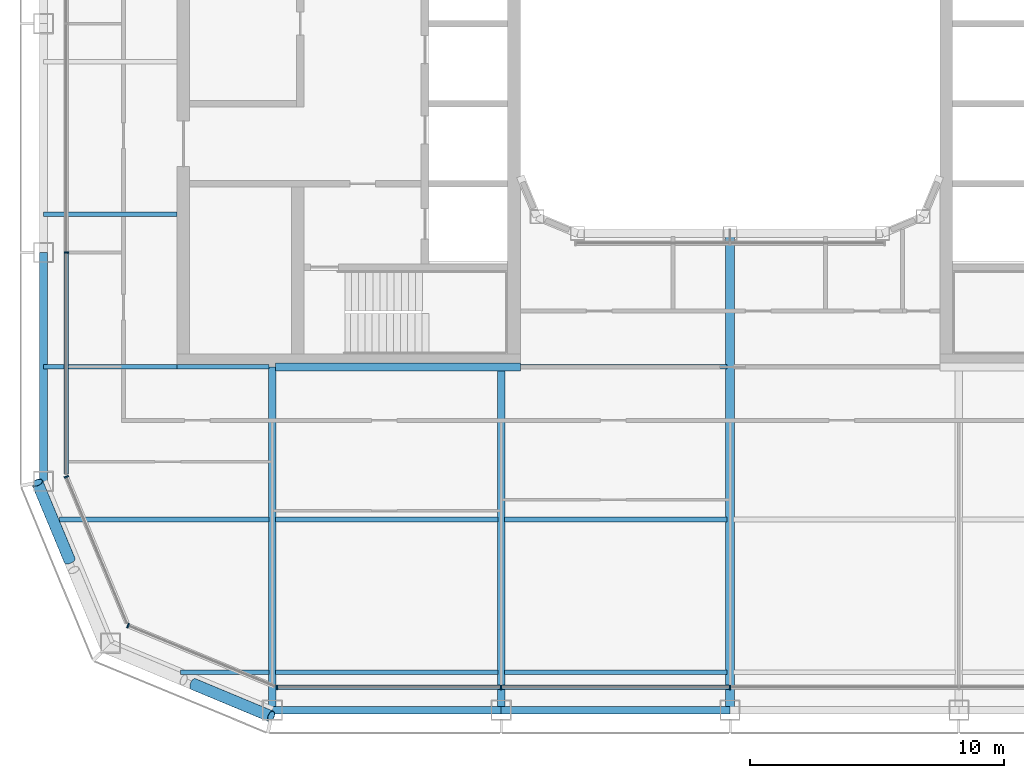
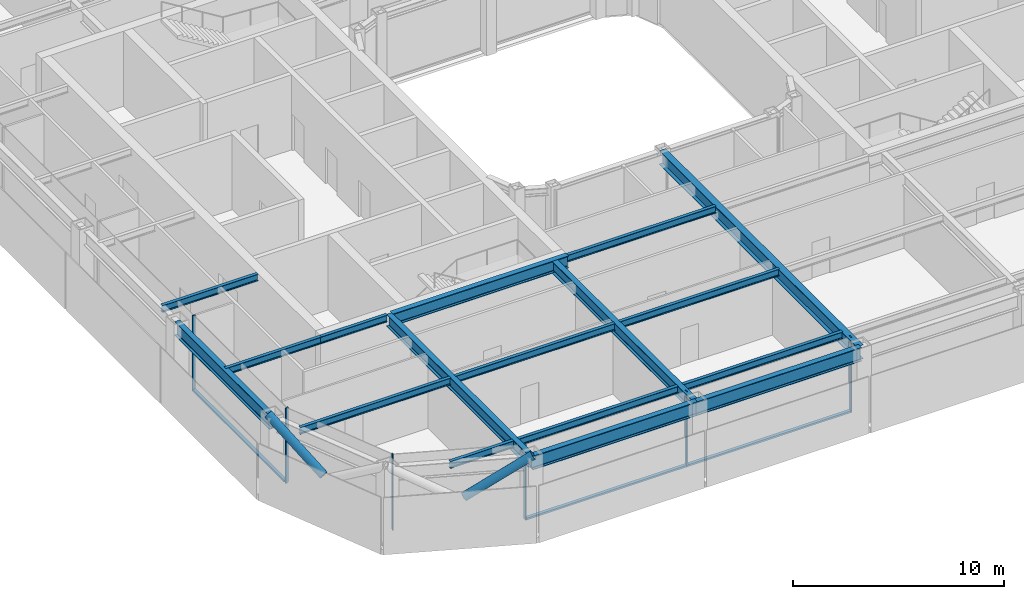
# One storey, part 2 of 23: 17 beams, 11 members, 4 elements without a shape of their own.
"""IFC4 building model written with IfcOpenShell, lengths in metres."""

from ifc_helpers import new_model, si_unit, direction, frame, origin, origin_2d, place, context, subcontext, project, spatial, rectangle, hollow_circle, i_section, extrude, material, layer, layer_set, material_profile, profile_set, type_object, element, aggregate, save


model = new_model("IFC4")

# Units and contexts
model_context = context("Model", 3, precision=1e-05, world=origin(), true_north=direction((0.0, 1.0)))
body_context = subcontext(model_context, "Body", "Model", "MODEL_VIEW")
ifc_project = project(units=[si_unit("LENGTHUNIT", "METRE"), si_unit("AREAUNIT", "SQUARE_METRE"), si_unit("VOLUMEUNIT", "CUBIC_METRE"), si_unit("PLANEANGLEUNIT", "RADIAN"), si_unit("MASSUNIT", "GRAM", prefix="KILO")], contexts=[model_context])

# Site, building, storey
site_placement = place(None, origin())
site = spatial("IfcSite", under=ifc_project, at=site_placement, CompositionType="ELEMENT")
building_placement = place(site_placement, origin())
building = spatial("IfcBuilding", under=site, at=building_placement, Name="Siwar Civic Tower", CompositionType="ELEMENT")
storey_placement = place(building_placement, frame((0.0, 0.0, 242.199951171875)))
storey = spatial("IfcBuildingStorey", under=building, at=storey_placement, Name="L52", CompositionType="ELEMENT", Elevation=242.199951171875)

# Curtain wall, members
ifc_material_1 = material(Name="Aluminium and glass", Category="aluminium")
ifc_layer_1 = layer(ifc_material_1, 0.179931640625)
ifc_layer_set_1 = layer_set([ifc_layer_1], Name="Aluminium and glass")
curtain_wall_type_1 = type_object("IfcCurtainWallType", Name="ENV-CW-C", PredefinedType="NOTDEFINED", material=ifc_layer_set_1)
curtain_wall_1_placement = place(storey_placement, origin())
curtain_wall_1 = element("IfcCurtainWall", 1, at=curtain_wall_1_placement, inside=storey, type_object=curtain_wall_type_1, Name="Curtain wall C S", PredefinedType="NOTDEFINED")
ifc_material_2 = material(Name="Aluminium 6063-T6", Category="aluminium")
ifc_material_profile_1 = material_profile(ifc_material_2, rectangle(XDim=0.179931640625, YDim=0.06005859375, at=origin_2d()), Name="AL 180x60")
ifc_profile_set_1 = profile_set([ifc_material_profile_1], Name="Aluminium 6063-T6")
member_type_1 = type_object("IfcMemberType", Name="ENV-MULLION-C", PredefinedType="MULLION", material=ifc_profile_set_1)
member_1_placement = place(storey_placement, frame((-17.821044921875, -26.10009765625, 0.0), z_axis=(0.0, 0.0, 1.0), x_axis=(0.0, 1.0, 0.0)))
member_1 = element("IfcMember", 2, at=member_1_placement, type_object=member_type_1, Name="Mullion C S 1", PredefinedType="MULLION", context=body_context, shape_type="SweptSolid", body=[
    extrude(rectangle(XDim=0.179931640625, YDim=0.06005859375, at=origin_2d()), origin(), (0.0, 0.0, 1.0), 4.35009765625),
])
member_2_placement = place(storey_placement, frame((-9.0, -26.10009765625, 0.0), z_axis=(0.0, 0.0, 1.0), x_axis=(0.0, 1.0, 0.0)))
member_2 = element("IfcMember", 3, at=member_2_placement, type_object=member_type_1, Name="Mullion C S 2", PredefinedType="MULLION", context=body_context, shape_type="SweptSolid", body=[
    extrude(rectangle(XDim=0.179931640625, YDim=0.06005859375, at=origin_2d()), origin(), (0.0, 0.0, 1.0), 4.35009765625),
])
member_3_placement = place(storey_placement, frame((0.0, -26.10009765625, 0.0), z_axis=(0.0, 0.0, 1.0), x_axis=(0.0, 1.0, 0.0)))
member_3 = element("IfcMember", 4, at=member_3_placement, type_object=member_type_1, Name="Mullion C S 3", PredefinedType="MULLION", context=body_context, shape_type="SweptSolid", body=[
    extrude(rectangle(XDim=0.179931640625, YDim=0.06005859375, at=origin_2d()), origin(), (0.0, 0.0, 1.0), 4.35009765625),
])

# Curtain wall, member
curtain_wall_2_placement = place(storey_placement, origin())
curtain_wall_2 = element("IfcCurtainWall", 5, at=curtain_wall_2_placement, inside=storey, type_object=curtain_wall_type_1, Name="Curtain wall C W", PredefinedType="NOTDEFINED")
member_4_placement = place(storey_placement, frame((-26.10009765625, -9.0, 0.0), z_axis=(0.0, 0.0, 1.0), x_axis=(1.0, 0.0, 0.0)))
member_4 = element("IfcMember", 6, at=member_4_placement, type_object=member_type_1, Name="Mullion C W 4", PredefinedType="MULLION", context=body_context, shape_type="SweptSolid", body=[
    extrude(rectangle(XDim=0.179931640625, YDim=0.06005859375, at=origin_2d()), origin(), (0.0, 0.0, 1.0), 4.35009765625),
])

ifc_material_3 = material(Name="Aluminium clad insulated panel", Category="aluminium")
ifc_layer_2 = layer(ifc_material_3, 0.179931640625)
ifc_layer_set_2 = layer_set([ifc_layer_2], Name="Aluminium clad insulated panel")
curtain_wall_type_2 = type_object("IfcCurtainWallType", Name="ENV-CW-CX", PredefinedType="NOTDEFINED", material=ifc_layer_set_2)
curtain_wall_3_placement = place(storey_placement, origin())
curtain_wall_3 = element("IfcCurtainWall", 7, at=curtain_wall_3_placement, inside=storey, type_object=curtain_wall_type_2, Name="Curtain wall C SW1", PredefinedType="NOTDEFINED")
member_5_placement = place(storey_placement, frame((-26.10009765625, -17.821044921875, 0.0), z_axis=(0.0, 0.0, 1.0), x_axis=(0.923879532511, 0.382683432365, 0.0)))
member_5 = element("IfcMember", 8, at=member_5_placement, type_object=member_type_1, Name="Mullion C SW1 1", PredefinedType="MULLION", context=body_context, shape_type="SweptSolid", body=[
    extrude(rectangle(XDim=0.179931640625, YDim=0.06005859375, at=origin_2d()), origin(), (0.0, 0.0, 1.0), 4.35009765625),
])
aggregate(curtain_wall_3, [member_5])

curtain_wall_4_placement = place(storey_placement, origin())
curtain_wall_4 = element("IfcCurtainWall", 9, at=curtain_wall_4_placement, inside=storey, type_object=curtain_wall_type_2, Name="Curtain wall C SW2", PredefinedType="NOTDEFINED")
member_6_placement = place(storey_placement, frame((-23.675048828125, -23.675048828125, 0.0), z_axis=(0.0, 0.0, 1.0), x_axis=(0.382683432365, 0.923879532511, 0.0)))
member_6 = element("IfcMember", 10, at=member_6_placement, type_object=member_type_1, Name="Mullion C SW2 1", PredefinedType="MULLION", context=body_context, shape_type="SweptSolid", body=[
    extrude(rectangle(XDim=0.179931640625, YDim=0.06005859375, at=origin_2d()), origin(), (0.0, 0.0, 1.0), 4.35009765625),
])
aggregate(curtain_wall_4, [member_6])

# Member
ifc_material_4 = material(Name="Aluminium 6063-T6", Category="aluminium")
ifc_material_profile_2 = material_profile(ifc_material_4, rectangle(XDim=0.179931640625, YDim=0.10009765625, at=origin_2d()), Name="AL 180x100")
ifc_profile_set_2 = profile_set([ifc_material_profile_2], Name="Aluminium 6063-T6")
member_type_2 = type_object("IfcMemberType", Name="ENV-TRANSOM-C", PredefinedType="USERDEFINED", material=ifc_profile_set_2)
member_7_placement = place(storey_placement, frame((-17.791015625, -26.10009765625, 0.050048828125), z_axis=(1.0, 0.0, 0.0), x_axis=(0.0, 1.0, 0.0)))
member_7 = element("IfcMember", 11, at=member_7_placement, type_object=member_type_2, Name="Transom C S 1", ObjectType="TRANSOM", PredefinedType="USERDEFINED", context=body_context, shape_type="SweptSolid", body=[
    extrude(rectangle(XDim=0.179931640625, YDim=0.10009765625, at=origin_2d()), origin(), (0.0, 0.0, 1.0), 8.760986328125),
])

member_8_placement = place(storey_placement, frame((-8.969970703125, -26.10009765625, 0.050048828125), z_axis=(1.0, 0.0, 0.0), x_axis=(0.0, 1.0, 0.0)))
member_8 = element("IfcMember", 12, at=member_8_placement, type_object=member_type_2, Name="Transom C S 2", ObjectType="TRANSOM", PredefinedType="USERDEFINED", context=body_context, shape_type="SweptSolid", body=[
    extrude(rectangle(XDim=0.179931640625, YDim=0.10009765625, at=origin_2d()), origin(), (0.0, 0.0, 1.0), 8.93994140625),
])

aggregate(curtain_wall_1, [member_1, member_2, member_3, member_7, member_8])

member_9_placement = place(storey_placement, frame((-26.10009765625, -9.030029296875, 0.050048828125), z_axis=(0.0, -1.0, 0.0), x_axis=(1.0, 0.0, 0.0)))
member_9 = element("IfcMember", 13, at=member_9_placement, type_object=member_type_2, Name="Transom C W 4", ObjectType="TRANSOM", PredefinedType="USERDEFINED", context=body_context, shape_type="SweptSolid", body=[
    extrude(rectangle(XDim=0.179931640625, YDim=0.10009765625, at=origin_2d()), origin(), (0.0, 0.0, 1.0), 8.68603515625),
])

aggregate(curtain_wall_2, [member_4, member_9])

# Members
ifc_material_5 = material(Name="Steel S355", Category="steel")
ifc_material_profile_3 = material_profile(ifc_material_5, hollow_circle(Radius=0.228515625, WallThickness=0.02001953125, at=origin_2d()), Name="CHS457x20")
ifc_profile_set_3 = profile_set([ifc_material_profile_3], Name="Steel S355")
member_type_3 = type_object("IfcMemberType", Name="STR-BR-CHS457x20", PredefinedType="BRACE", material=ifc_profile_set_3)
for number, where, z_axis, x_axis, name in (
    (14, (-21.10302734375, -25.972900390625, 2.383056640625), (0.777572496853, -0.323895306243, 0.538955325357), (0.38452107079, 0.92311621485, 0.0), "L52/brc/CSW1-12-0-3"),
    (15, (-25.972900390625, -21.10302734375, 2.383056640625), (-0.323895306243, 0.777572496853, 0.538955325357), (-0.92311621485, -0.38452107079, 0.0), "L52/brc/CSW1-12-0-5"),
):
    element("IfcMember", number, at=place(storey_placement, frame(where, z_axis=z_axis, x_axis=x_axis)), inside=storey, type_object=member_type_3, Name=name, PredefinedType="BRACE", context=body_context, shape_type="SweptSolid", body=[
        extrude(hollow_circle(Radius=0.228515625, WallThickness=0.02001953125, at=origin_2d()), origin(), (0.0, 0.0, 1.0), 3.927978515625),
    ])

# Beams
ifc_material_6 = material(Name="Steel S355", Category="steel")
ifc_material_profile_4 = material_profile(ifc_material_6, i_section(OverallWidth=0.179931640625, OverallDepth=0.39990234375, WebThickness=0.008544921875, FlangeThickness=0.013427734375, FilletRadius=0.02099609375, at=origin_2d()), Name="IPE400")
ifc_profile_set_4 = profile_set([ifc_material_profile_4], Name="Steel S355")
beam_type_1 = type_object("IfcBeamType", Name="STR-FB-IPE400", PredefinedType="JOIST", material=ifc_profile_set_4)
beam_1_placement = place(storey_placement, frame((-21.621337890625, -25.5, 4.150146484375), z_axis=(1.0, 0.0, 0.0), x_axis=(0.0, 1.0, 0.0)))
element("IfcBeam", 16, at=beam_1_placement, inside=storey, type_object=beam_type_1, Name="L52/bm/F001", PredefinedType="JOIST", context=body_context, shape_type="SweptSolid", body=[
    extrude(i_section(OverallWidth=0.179931640625, OverallDepth=0.39990234375, WebThickness=0.008544921875, FlangeThickness=0.013427734375, FilletRadius=0.02099609375, at=origin_2d()), origin(), (0.0, 0.0, 1.0), 3.491455078125),
])
for number, where, z_axis, x_axis, name in (
    (17, (-17.8701171875, -25.5, 4.150146484375), (1.0, 0.0, 0.0), (0.0, 1.0, 0.0), "L52/bm/F002"),
    (18, (-8.8701171875, -25.5, 4.150146484375), (1.0, 0.0, 0.0), (0.0, 1.0, 0.0), "L52/bm/F003"),
):
    element("IfcBeam", number, at=place(storey_placement, frame(where, z_axis=z_axis, x_axis=x_axis)), inside=storey, type_object=beam_type_1, Name=name, PredefinedType="JOIST", context=body_context, shape_type="SweptSolid", body=[
        extrude(i_section(OverallWidth=0.179931640625, OverallDepth=0.39990234375, WebThickness=0.008544921875, FlangeThickness=0.013427734375, FilletRadius=0.02099609375, at=origin_2d()), origin(), (0.0, 0.0, 1.0), 8.740234375),
    ])
beam_2_placement = place(storey_placement, frame((-26.378662109375, -19.5, 4.150146484375), z_axis=(1.0, 0.0, 0.0), x_axis=(0.0, 1.0, 0.0)))
element("IfcBeam", 19, at=beam_2_placement, inside=storey, type_object=beam_type_1, Name="L52/bm/F007", PredefinedType="JOIST", context=body_context, shape_type="SweptSolid", body=[
    extrude(i_section(OverallWidth=0.179931640625, OverallDepth=0.39990234375, WebThickness=0.008544921875, FlangeThickness=0.013427734375, FilletRadius=0.02099609375, at=origin_2d()), origin(), (0.0, 0.0, 1.0), 8.248779296875),
])
for number, where, z_axis, x_axis, name in (
    (20, (-17.8701171875, -19.5, 4.150146484375), (1.0, 0.0, 0.0), (0.0, 1.0, 0.0), "L52/bm/F008"),
    (21, (-8.8701171875, -19.5, 4.150146484375), (1.0, 0.0, 0.0), (0.0, 1.0, 0.0), "L52/bm/F009"),
):
    element("IfcBeam", number, at=place(storey_placement, frame(where, z_axis=z_axis, x_axis=x_axis)), inside=storey, type_object=beam_type_1, Name=name, PredefinedType="JOIST", context=body_context, shape_type="SweptSolid", body=[
        extrude(i_section(OverallWidth=0.179931640625, OverallDepth=0.39990234375, WebThickness=0.008544921875, FlangeThickness=0.013427734375, FilletRadius=0.02099609375, at=origin_2d()), origin(), (0.0, 0.0, 1.0), 8.740234375),
    ])
beam_3_placement = place(storey_placement, frame((-27.0, -13.5, 4.150146484375), z_axis=(1.0, 0.0, 0.0), x_axis=(0.0, 1.0, 0.0)))
element("IfcBeam", 22, at=beam_3_placement, inside=storey, type_object=beam_type_1, Name="L52/bm/F013", PredefinedType="JOIST", context=body_context, shape_type="SweptSolid", body=[
    extrude(i_section(OverallWidth=0.179931640625, OverallDepth=0.39990234375, WebThickness=0.008544921875, FlangeThickness=0.013427734375, FilletRadius=0.02099609375, at=origin_2d()), origin(), (0.0, 0.0, 1.0), 5.25),
])
beam_4_placement = place(storey_placement, frame((-21.75, -13.5, 4.150146484375), z_axis=(1.0, 0.0, 0.0), x_axis=(0.0, 1.0, 0.0)))
element("IfcBeam", 23, at=beam_4_placement, inside=storey, type_object=beam_type_1, Name="L52/bm/F014", PredefinedType="JOIST", context=body_context, shape_type="SweptSolid", body=[
    extrude(i_section(OverallWidth=0.179931640625, OverallDepth=0.39990234375, WebThickness=0.008544921875, FlangeThickness=0.013427734375, FilletRadius=0.02099609375, at=origin_2d()), origin(), (0.0, 0.0, 1.0), 3.6201171875),
])
beam_5_placement = place(storey_placement, frame((-8.25, -13.5, 4.150146484375), z_axis=(1.0, 0.0, 0.0), x_axis=(0.0, 1.0, 0.0)))
element("IfcBeam", 24, at=beam_5_placement, inside=storey, type_object=beam_type_1, Name="L52/bm/F016", PredefinedType="JOIST", context=body_context, shape_type="SweptSolid", body=[
    extrude(i_section(OverallWidth=0.179931640625, OverallDepth=0.39990234375, WebThickness=0.008544921875, FlangeThickness=0.013427734375, FilletRadius=0.02099609375, at=origin_2d()), origin(), (0.0, 0.0, 1.0), 8.1201171875),
])
beam_6_placement = place(storey_placement, frame((-27.0, -7.5, 4.150146484375), z_axis=(1.0, 0.0, 0.0), x_axis=(0.0, 1.0, 0.0)))
element("IfcBeam", 25, at=beam_6_placement, inside=storey, type_object=beam_type_1, Name="L52/bm/F021", PredefinedType="JOIST", context=body_context, shape_type="SweptSolid", body=[
    extrude(i_section(OverallWidth=0.179931640625, OverallDepth=0.39990234375, WebThickness=0.008544921875, FlangeThickness=0.013427734375, FilletRadius=0.02099609375, at=origin_2d()), origin(), (0.0, 0.0, 1.0), 5.25),
])
ifc_material_7 = material(Name="Steel S355", Category="steel")
ifc_material_profile_5 = material_profile(ifc_material_7, i_section(OverallWidth=0.300048828125, OverallDepth=0.699951171875, WebThickness=0.01708984375, FlangeThickness=0.031982421875, FilletRadius=0.027099609375, at=origin_2d()), Name="HEB700")
ifc_profile_set_5 = profile_set([ifc_material_profile_5], Name="Steel S355")
beam_type_2 = type_object("IfcBeamType", Name="STR-PG-HEB700", PredefinedType="BEAM", material=ifc_profile_set_5)
for number, where, z_axis, x_axis, name in (
    (26, (-18.0, -27.0, 4.0), (0.0, 1.0, 0.0), (-1.0, 0.0, 0.0), "L52/bm/G01"),
    (27, (-9.0, -27.0, 4.0), (0.0, 1.0, 0.0), (-1.0, 0.0, 0.0), "L52/bm/G03"),
):
    element("IfcBeam", number, at=place(storey_placement, frame(where, z_axis=z_axis, x_axis=x_axis)), inside=storey, type_object=beam_type_2, Name=name, PredefinedType="BEAM", context=body_context, shape_type="SweptSolid", body=[
        extrude(i_section(OverallWidth=0.300048828125, OverallDepth=0.699951171875, WebThickness=0.01708984375, FlangeThickness=0.031982421875, FilletRadius=0.027099609375, at=origin_2d()), origin(), (0.0, 0.0, 1.0), 13.5),
    ])
beam_7_placement = place(storey_placement, frame((-17.8701171875, -13.5, 4.0), z_axis=(1.0, 0.0, 0.0), x_axis=(0.0, 1.0, 0.0)))
element("IfcBeam", 28, at=beam_7_placement, inside=storey, type_object=beam_type_2, Name="L52/bm/F015", PredefinedType="BEAM", context=body_context, shape_type="SweptSolid", body=[
    extrude(i_section(OverallWidth=0.300048828125, OverallDepth=0.699951171875, WebThickness=0.01708984375, FlangeThickness=0.031982421875, FilletRadius=0.027099609375, at=origin_2d()), origin(), (0.0, 0.0, 1.0), 9.6201171875),
])
ifc_material_8 = material(Name="Steel S355", Category="steel")
ifc_material_profile_6 = material_profile(ifc_material_8, i_section(OverallWidth=0.360107421875, OverallDepth=0.800048828125, WebThickness=0.013916015625, FlangeThickness=0.031982421875, at=origin_2d()), Name="PG800x360x14x32")
ifc_profile_set_6 = profile_set([ifc_material_profile_6], Name="Steel S355")
beam_type_3 = type_object("IfcBeamType", Name="STR-PG-PG800x360x14x32", PredefinedType="BEAM", material=ifc_profile_set_6)
beam_8_placement = place(storey_placement, frame((0.0, -27.0, 3.949951171875), z_axis=(0.0, 1.0, 0.0), x_axis=(-1.0, 0.0, 0.0)))
element("IfcBeam", 29, at=beam_8_placement, inside=storey, type_object=beam_type_3, Name="L52/bm/G05", PredefinedType="BEAM", context=body_context, shape_type="SweptSolid", body=[
    extrude(i_section(OverallWidth=0.360107421875, OverallDepth=0.800048828125, WebThickness=0.013916015625, FlangeThickness=0.031982421875, at=origin_2d()), origin(), (0.0, 0.0, 1.0), 18.75),
])
ifc_material_9 = material(Name="Steel S355", Category="steel")
ifc_material_profile_7 = material_profile(ifc_material_9, i_section(OverallWidth=0.300048828125, OverallDepth=0.800048828125, WebThickness=0.017578125, FlangeThickness=0.032958984375, FilletRadius=0.030029296875, at=origin_2d()), Name="HEB800")
ifc_profile_set_7 = profile_set([ifc_material_profile_7], Name="Steel S355")
beam_type_4 = type_object("IfcBeamType", Name="STR-SB-HEB800", PredefinedType="BEAM", material=ifc_profile_set_7)
for number, where, z_axis, x_axis, name in (
    (30, (-18.0, -27.0, 3.949951171875), (1.0, 0.0, 0.0), (0.0, 1.0, 0.0), "L52/bm/SS-0"),
    (31, (-9.0, -27.0, 3.949951171875), (1.0, 0.0, 0.0), (0.0, 1.0, 0.0), "L52/bm/SS-1"),
    (32, (-27.0, -9.0, 3.949951171875), (0.0, -1.0, 0.0), (1.0, 0.0, 0.0), "L52/bm/SW-3"),
):
    element("IfcBeam", number, at=place(storey_placement, frame(where, z_axis=z_axis, x_axis=x_axis)), inside=storey, type_object=beam_type_4, Name=name, PredefinedType="BEAM", context=body_context, shape_type="SweptSolid", body=[
        extrude(i_section(OverallWidth=0.300048828125, OverallDepth=0.800048828125, WebThickness=0.017578125, FlangeThickness=0.032958984375, FilletRadius=0.030029296875, at=origin_2d()), origin(), (0.0, 0.0, 1.0), 9.0),
    ])

save(model, "model.ifc")
